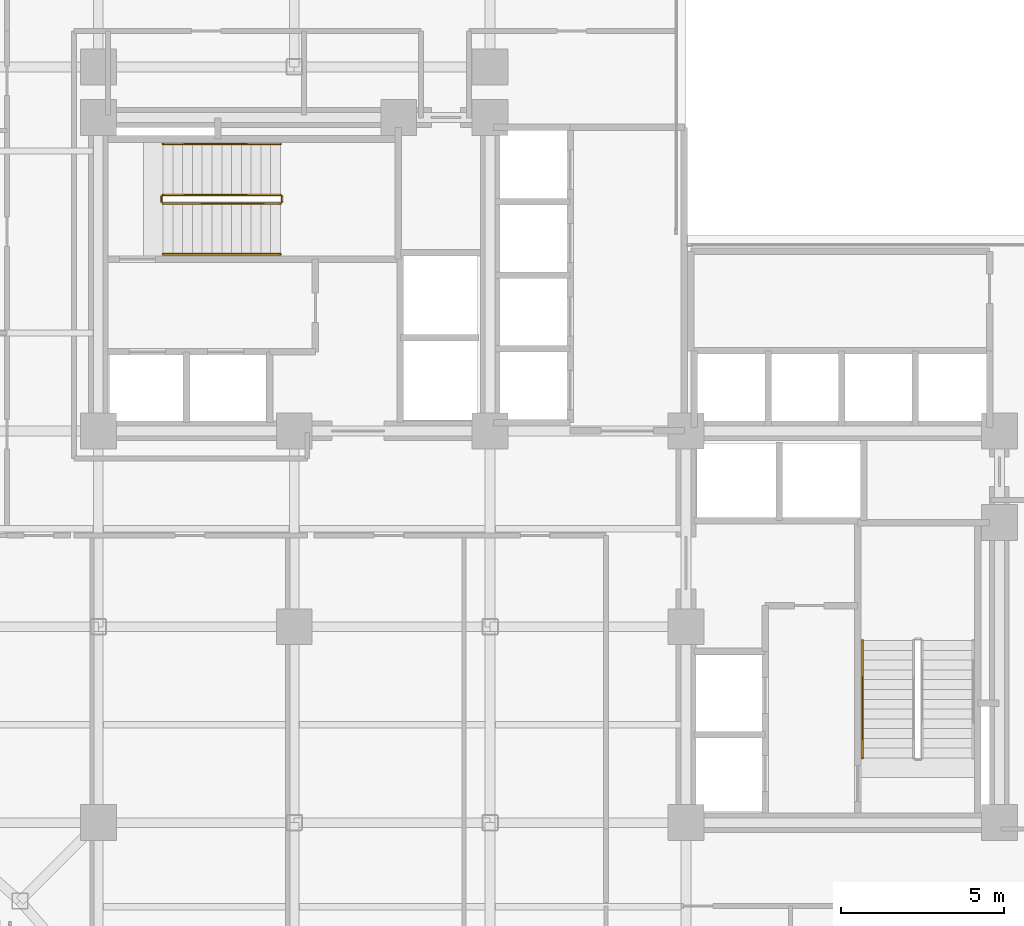
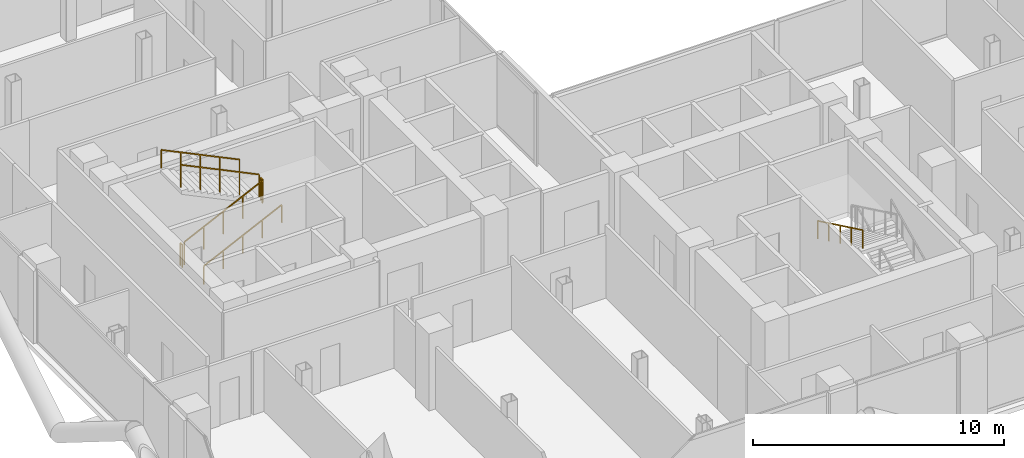
# One storey, part 26 of 28: 7 railings.
"""IFC4 building model written with IfcOpenShell, lengths in metres."""

import ifcopenshell
import ifcopenshell.guid

model = None  # the IFC model being written
_history = None  # IfcOwnerHistory: only IFC2X3 demands one
_inside = {}  # id of a spatial element -> (the spatial element, [elements in it])
_under = {}  # id of a project, library or spatial element -> (it, [spatial elements below it])
_declared = {}  # id of a project -> (the project, [libraries it declares])
_typed = {}  # id of a type object -> (the type object, [elements of that type])
_made_of = {}  # id of a material, layer set ... -> (it, [elements and type objects made of it])


def new_model(schema):
    """Start an empty IFC model of exactly this schema.

    Asked for "IFC4X3", IfcOpenShell would pick the latest addendum, in which some entities
    have other attributes; the version numbers below select the first issue.
    IFC2X3 requires an IfcOwnerHistory on every rooted entity: one is made here for all.
    """
    global model, _history
    if schema == "IFC4X3":
        model = ifcopenshell.file(schema_version=(4, 3, 0, 0))
    else:
        model = ifcopenshell.file(schema=schema)
    _inside.clear()
    _under.clear()
    _declared.clear()
    _typed.clear()
    _made_of.clear()
    _history = None
    if model.schema == "IFC2X3":
        org = make("IfcOrganization", Name="unknown")
        user = make(
            "IfcPersonAndOrganization",
            ThePerson=make("IfcPerson", FamilyName="unknown"),
            TheOrganization=org,
        )
        app = make(
            "IfcApplication",
            ApplicationDeveloper=org,
            Version="unknown",
            ApplicationFullName="unknown",
            ApplicationIdentifier="unknown",
        )
        _history = make(
            "IfcOwnerHistory",
            OwningUser=user,
            OwningApplication=app,
            ChangeAction="ADDED",
            CreationDate=0,
        )
    return model


def make(cls, **values):
    """One entity of the class cls with the attributes given. An attribute that is None is left unset."""
    return model.create_entity(
        cls, **{name: value for name, value in values.items() if value is not None}
    )


def rooted(cls, **values):
    """An entity with a GlobalId (a new one), such as an element, a storey or a relation."""
    return make(cls, GlobalId=ifcopenshell.guid.new(), OwnerHistory=_history, **values)


def si_unit(unit_type, name, prefix=None):
    """IfcSIUnit, for example si_unit("LENGTHUNIT", "METRE", prefix="MILLI")."""
    return make("IfcSIUnit", UnitType=unit_type, Prefix=prefix, Name=name)


def assignment(units):
    """IfcUnitAssignment: the units of a project."""
    return None if units is None else make("IfcUnitAssignment", Units=units)


def point(xyz):
    """IfcCartesianPoint."""
    return None if xyz is None else make("IfcCartesianPoint", Coordinates=xyz)


def direction(xyz):
    """IfcDirection."""
    return None if xyz is None else make("IfcDirection", DirectionRatios=xyz)


def frame(location, z_axis=None, x_axis=None):
    """IfcAxis2Placement3D, a coordinate frame: its origin and axes. An axis left out is left unset."""
    return make(
        "IfcAxis2Placement3D",
        Location=point(location),
        Axis=direction(z_axis),
        RefDirection=direction(x_axis),
    )


def frame_2d(location, x_axis=None):
    """IfcAxis2Placement2D, a coordinate frame in the plane: its origin and x axis."""
    return make(
        "IfcAxis2Placement2D", Location=point(location), RefDirection=direction(x_axis)
    )


def origin():
    """The frame at (0, 0, 0) with its axes left unset."""
    return frame((0.0, 0.0, 0.0))


def origin_2d():
    """The frame at (0, 0) in the plane with its x axis left unset."""
    return frame_2d((0.0, 0.0))


def place(relative_to, where):
    """IfcLocalPlacement: puts the frame where relative to a parent placement (None: the world)."""
    return make(
        "IfcLocalPlacement", PlacementRelTo=relative_to, RelativePlacement=where
    )


def context(
    kind, dimensions, precision=None, world=None, true_north=None, identifier=None
):
    """IfcGeometricRepresentationContext, for example the 3D "Model" context."""
    return make(
        "IfcGeometricRepresentationContext",
        ContextIdentifier=identifier,
        ContextType=kind,
        CoordinateSpaceDimension=dimensions,
        Precision=precision,
        WorldCoordinateSystem=world,
        TrueNorth=true_north,
    )


def subcontext(parent, identifier, kind, view, scale=None):
    """IfcGeometricRepresentationSubContext, for example "Body" below "Model"."""
    return make(
        "IfcGeometricRepresentationSubContext",
        ContextIdentifier=identifier,
        ContextType=kind,
        ParentContext=parent,
        TargetScale=scale,
        TargetView=view,
    )


def project(units=None, contexts=None):
    """IfcProject with its units and contexts."""
    return rooted(
        "IfcProject",
        Name="project",
        RepresentationContexts=contexts,
        UnitsInContext=assignment(units),
    )


def spatial(cls, under=None, at=None, **own):
    """A site, building, storey or space (cls), placed at a placement, below another one or the project."""
    s = rooted(cls, ObjectPlacement=at, **own)
    if under is not None:
        _under.setdefault(under.id(), (under, []))[1].append(s)
    return s


def profile(cls, at=None, kind="AREA", **sizes):
    """A parametric profile (cls). Its sizes go by their IFC names, for example OverallWidth=200.0."""
    return make(cls, ProfileType=kind, Position=at, **sizes)


def rectangle(**sizes):
    """IfcRectangleProfileDef."""
    return profile("IfcRectangleProfileDef", **sizes)


def extrude(swept, where, along, depth):
    """IfcExtrudedAreaSolid: the profile swept, set in the frame where, extruded along a direction by depth."""
    return make(
        "IfcExtrudedAreaSolid",
        SweptArea=swept,
        Position=where,
        ExtrudedDirection=direction(along),
        Depth=depth,
    )


def shape(context_of_items, identifier, shape_type, items):
    """IfcShapeRepresentation: the items that make up one representation, for example the "Body"."""
    return make(
        "IfcShapeRepresentation",
        ContextOfItems=context_of_items,
        RepresentationIdentifier=identifier,
        RepresentationType=shape_type,
        Items=items,
    )


def material(Name=None, Category=None):
    """IfcMaterial."""
    return make("IfcMaterial", Name=Name, Category=Category)


def made_of(thing, what):
    """Note that an element or type object is made of a material, layer set ...; save() writes the relation."""
    if what is not None:
        _made_of.setdefault(what.id(), (what, []))[1].append(thing)
    return thing


def type_object(cls, material=None, **own):
    """A type object (cls), such as IfcWallType, which elements share."""
    return made_of(rooted(cls, **own), material)


def element(
    cls,
    number,
    at=None,
    inside=None,
    cuts=None,
    type_object=None,
    material=None,
    context=None,
    identifier="Body",
    shape_type=None,
    held_by="IfcProductDefinitionShape",
    body=None,
    shapes=None,
    **own,
):
    """One element of the class cls, such as IfcWall. Its Tag is "e" and its number.

    at: its placement. inside: the storey or other place that contains it. cuts: it is an
    opening in that element (IfcRelVoidsElement). A single representation is given by context,
    identifier, shape_type and body (its items); several are given by shapes. held_by: the class
    of the entity that holds the representations. save() writes the other relations.
    """
    e = rooted(cls, Tag="e%d" % number, ObjectPlacement=at, **own)
    if body is not None:
        shapes = [shape(context, identifier, shape_type, body)]
    if shapes is not None:
        e.Representation = make(held_by, Representations=shapes)
    if inside is not None:
        _inside.setdefault(inside.id(), (inside, []))[1].append(e)
    if cuts is not None:
        rooted(
            "IfcRelVoidsElement", RelatingBuildingElement=cuts, RelatedOpeningElement=e
        )
    if type_object is not None:
        _typed.setdefault(type_object.id(), (type_object, []))[1].append(e)
    return made_of(e, material)


def aggregate(whole, parts):
    """IfcRelAggregates: a whole, such as a stair, and the parts it consists of."""
    return rooted("IfcRelAggregates", RelatingObject=whole, RelatedObjects=parts)


def save(model, path):
    """Write the relations noted so far, then the file.

    IfcRelAggregates (storeys below a building ...), IfcRelContainedInSpatialStructure (elements
    in a storey), IfcRelDefinesByType, IfcRelAssociatesMaterial and IfcRelDeclares: one each for
    every whole, place, type object, material and project.
    """
    for whole, parts in _under.values():
        aggregate(whole, parts)
    for where, things in _inside.values():
        rooted(
            "IfcRelContainedInSpatialStructure",
            RelatedElements=things,
            RelatingStructure=where,
        )
    for kind, things in _typed.values():
        rooted("IfcRelDefinesByType", RelatedObjects=things, RelatingType=kind)
    for what, things in _made_of.values():
        rooted("IfcRelAssociatesMaterial", RelatedObjects=things, RelatingMaterial=what)
    for by, libraries in _declared.values():
        rooted("IfcRelDeclares", RelatingContext=by, RelatedDefinitions=libraries)
    model.write(path)


model = new_model("IFC4")

# Units and contexts
model_context = context("Model", 3, precision=1e-05, world=origin(), true_north=direction((0.0, 1.0)))
body_context = subcontext(model_context, "Body", "Model", "MODEL_VIEW")
ifc_project = project(units=[si_unit("LENGTHUNIT", "METRE"), si_unit("AREAUNIT", "SQUARE_METRE"), si_unit("VOLUMEUNIT", "CUBIC_METRE"), si_unit("PLANEANGLEUNIT", "RADIAN"), si_unit("MASSUNIT", "GRAM", prefix="KILO"), si_unit("THERMODYNAMICTEMPERATUREUNIT", "KELVIN"), si_unit("POWERUNIT", "WATT")], contexts=[model_context])

# Site, building, storey
site_placement = place(None, origin())
site = spatial("IfcSite", under=ifc_project, at=site_placement, CompositionType="ELEMENT")
building_placement = place(site_placement, origin())
building = spatial("IfcBuilding", under=site, at=building_placement, Name="Svarakhadi Broadcast Tower", CompositionType="ELEMENT")
storey_placement = place(building_placement, frame((0.0, 0.0, 103.35009765625)))
storey = spatial("IfcBuildingStorey", under=building, at=storey_placement, Name="L24", CompositionType="ELEMENT", Elevation=103.35009765625)

# Railings
ifc_material = material(Name="Anodised Bronze Aluminium AA 6063-T6", Category="aluminium")
railing_type_1 = type_object("IfcRailingType", Name="Guard_Stair_GR01", PredefinedType="GUARDRAIL", material=ifc_material)
railing_1_placement = place(storey_placement, frame((7.97998046875, 24.969970703125, 0.14404296875)))
element("IfcRailing", 1, at=railing_1_placement, inside=storey, type_object=railing_type_1, Name="L24 ST-01 stair guard 1", PredefinedType="GUARDRAIL", context=body_context, shape_type="SweptSolid", body=[
    extrude(rectangle(XDim=0.048095703125, YDim=0.048095703125, at=origin_2d()), frame((0.0, 0.0, 1.09619140625), z_axis=(0.901238654732, 0.0, 0.433323074871), x_axis=(0.0, 1.0, 0.0)), (0.0, 0.0, 1.0), 3.99462890625),
    extrude(rectangle(XDim=0.0419921875, YDim=0.0419921875, at=origin_2d()), origin(), (0.0, 0.0, 1.0), 1.072021484375),
    extrude(rectangle(XDim=0.0419921875, YDim=0.0419921875, at=origin_2d()), frame((0.89990234375, 0.0, 0.4326171875)), (0.0, 0.0, 1.0), 1.072021484375),
    extrude(rectangle(XDim=0.0419921875, YDim=0.0419921875, at=origin_2d()), frame((1.800048828125, 0.0, 0.865478515625)), (0.0, 0.0, 1.0), 1.072021484375),
    extrude(rectangle(XDim=0.0419921875, YDim=0.0419921875, at=origin_2d()), frame((2.7001953125, 0.0, 1.29833984375)), (0.0, 0.0, 1.0), 1.072021484375),
    extrude(rectangle(XDim=0.0419921875, YDim=0.0419921875, at=origin_2d()), frame((3.60009765625, 0.0, 1.73095703125)), (0.0, 0.0, 1.0), 1.072021484375),
])
railing_2_placement = place(storey_placement, frame((11.6298828125, 25.02001953125, 1.875)))
element("IfcRailing", 2, at=railing_2_placement, inside=storey, type_object=railing_type_1, Name="L24 ST-01 stair guard 2", PredefinedType="GUARDRAIL", context=body_context, shape_type="SweptSolid", body=[
    extrude(rectangle(XDim=0.048095703125, YDim=0.048095703125, at=origin_2d()), frame((0.0, 0.0, 1.09619140625), z_axis=(0.0, 1.0, 0.0), x_axis=(-1.0, 0.0, 0.0)), (0.0, 0.0, 1.0), 0.159912109375),
    extrude(rectangle(XDim=0.0419921875, YDim=0.0419921875, at=origin_2d()), origin(), (0.0, 0.0, 1.0), 1.072021484375),
    extrude(rectangle(XDim=0.0419921875, YDim=0.0419921875, at=origin_2d()), frame((0.0, 0.159912109375, 0.0)), (0.0, 0.0, 1.0), 1.072021484375),
])
railing_3_placement = place(storey_placement, frame((11.580078125, 25.22998046875, 2.01904296875)))
element("IfcRailing", 3, at=railing_3_placement, inside=storey, type_object=railing_type_1, Name="L24 ST-01 stair guard 3", PredefinedType="GUARDRAIL", context=body_context, shape_type="SweptSolid", body=[
    extrude(rectangle(XDim=0.048095703125, YDim=0.048095703125, at=origin_2d()), frame((0.0, 0.0, 1.09619140625), z_axis=(-0.901238654732, 0.0, 0.433323074871), x_axis=(0.0, -1.0, 0.0)), (0.0, 0.0, 1.0), 3.99462890625),
    extrude(rectangle(XDim=0.0419921875, YDim=0.0419921875, at=origin_2d()), origin(), (0.0, 0.0, 1.0), 1.072021484375),
    extrude(rectangle(XDim=0.0419921875, YDim=0.0419921875, at=origin_2d()), frame((-0.89990234375, 0.0, 0.4326171875)), (0.0, 0.0, 1.0), 1.072021484375),
    extrude(rectangle(XDim=0.0419921875, YDim=0.0419921875, at=origin_2d()), frame((-1.800048828125, 0.0, 0.865478515625)), (0.0, 0.0, 1.0), 1.072021484375),
    extrude(rectangle(XDim=0.0419921875, YDim=0.0419921875, at=origin_2d()), frame((-2.7001953125, 0.0, 1.29833984375)), (0.0, 0.0, 1.0), 1.072021484375),
    extrude(rectangle(XDim=0.0419921875, YDim=0.0419921875, at=origin_2d()), frame((-3.60009765625, 0.0, 1.73095703125)), (0.0, 0.0, 1.0), 1.072021484375),
])
railing_4_placement = place(storey_placement, frame((7.929931640625, 25.02001953125, 0.0)))
element("IfcRailing", 4, at=railing_4_placement, inside=storey, type_object=railing_type_1, Name="L24 ST-01 stair guard 4", PredefinedType="GUARDRAIL", context=body_context, shape_type="SweptSolid", body=[
    extrude(rectangle(XDim=0.048095703125, YDim=0.048095703125, at=origin_2d()), frame((0.0, 0.0, 1.09619140625), z_axis=(0.0, 1.0, 0.0), x_axis=(-1.0, 0.0, 0.0)), (0.0, 0.0, 1.0), 0.159912109375),
    extrude(rectangle(XDim=0.0419921875, YDim=0.0419921875, at=origin_2d()), origin(), (0.0, 0.0, 1.0), 1.072021484375),
    extrude(rectangle(XDim=0.0419921875, YDim=0.0419921875, at=origin_2d()), frame((0.0, 0.159912109375, 0.0)), (0.0, 0.0, 1.0), 1.072021484375),
])
railing_type_2 = type_object("IfcRailingType", Name="Handrail_Stair_HR01", PredefinedType="HANDRAIL", material=ifc_material)
railing_5_placement = place(storey_placement, frame((7.97998046875, 23.409912109375, 0.14404296875)))
element("IfcRailing", 5, at=railing_5_placement, inside=storey, type_object=railing_type_2, Name="L24 ST-01 stair handrail 1", PredefinedType="HANDRAIL", context=body_context, shape_type="SweptSolid", body=[
    extrude(rectangle(XDim=0.048095703125, YDim=0.048095703125, at=origin_2d()), frame((0.0, 0.0, 0.8759765625), z_axis=(0.901238654732, 0.0, 0.433323074871), x_axis=(0.0, 1.0, 0.0)), (0.0, 0.0, 1.0), 3.99462890625),
    extrude(rectangle(XDim=0.0419921875, YDim=0.0419921875, at=origin_2d()), origin(), (0.0, 0.0, 1.0), 0.851806640625),
    extrude(rectangle(XDim=0.0419921875, YDim=0.0419921875, at=origin_2d()), frame((0.89990234375, 0.0, 0.4326171875)), (0.0, 0.0, 1.0), 0.851806640625),
    extrude(rectangle(XDim=0.0419921875, YDim=0.0419921875, at=origin_2d()), frame((1.800048828125, 0.0, 0.865478515625)), (0.0, 0.0, 1.0), 0.851806640625),
    extrude(rectangle(XDim=0.0419921875, YDim=0.0419921875, at=origin_2d()), frame((2.7001953125, 0.0, 1.29833984375)), (0.0, 0.0, 1.0), 0.851806640625),
    extrude(rectangle(XDim=0.0419921875, YDim=0.0419921875, at=origin_2d()), frame((3.60009765625, 0.0, 1.73095703125)), (0.0, 0.0, 1.0), 0.851806640625),
])
railing_6_placement = place(storey_placement, frame((11.580078125, 26.7900390625, 2.01904296875)))
element("IfcRailing", 6, at=railing_6_placement, inside=storey, type_object=railing_type_2, Name="L24 ST-01 stair handrail 2", PredefinedType="HANDRAIL", context=body_context, shape_type="SweptSolid", body=[
    extrude(rectangle(XDim=0.048095703125, YDim=0.048095703125, at=origin_2d()), frame((0.0, 0.0, 0.8759765625), z_axis=(-0.901238654732, 0.0, 0.433323074871), x_axis=(0.0, -1.0, 0.0)), (0.0, 0.0, 1.0), 3.99462890625),
    extrude(rectangle(XDim=0.0419921875, YDim=0.0419921875, at=origin_2d()), origin(), (0.0, 0.0, 1.0), 0.851806640625),
    extrude(rectangle(XDim=0.0419921875, YDim=0.0419921875, at=origin_2d()), frame((-0.89990234375, 0.0, 0.4326171875)), (0.0, 0.0, 1.0), 0.851806640625),
    extrude(rectangle(XDim=0.0419921875, YDim=0.0419921875, at=origin_2d()), frame((-1.800048828125, 0.0, 0.865478515625)), (0.0, 0.0, 1.0), 0.851806640625),
    extrude(rectangle(XDim=0.0419921875, YDim=0.0419921875, at=origin_2d()), frame((-2.7001953125, 0.0, 1.29833984375)), (0.0, 0.0, 1.0), 0.851806640625),
    extrude(rectangle(XDim=0.0419921875, YDim=0.0419921875, at=origin_2d()), frame((-3.60009765625, 0.0, 1.73095703125)), (0.0, 0.0, 1.0), 0.851806640625),
])
railing_7_placement = place(storey_placement, frame((29.409912109375, 11.580078125, 2.01904296875)))
element("IfcRailing", 7, at=railing_7_placement, inside=storey, type_object=railing_type_2, Name="L24 ST-02 stair handrail 2", PredefinedType="HANDRAIL", context=body_context, shape_type="SweptSolid", body=[
    extrude(rectangle(XDim=0.048095703125, YDim=0.048095703125, at=origin_2d()), frame((0.0, 0.0, 0.8759765625), z_axis=(0.0, -0.901238654732, 0.433323074871), x_axis=(1.0, 0.0, 0.0)), (0.0, 0.0, 1.0), 3.99462890625),
    extrude(rectangle(XDim=0.0419921875, YDim=0.0419921875, at=origin_2d()), origin(), (0.0, 0.0, 1.0), 0.851806640625),
    extrude(rectangle(XDim=0.0419921875, YDim=0.0419921875, at=origin_2d()), frame((0.0, -0.89990234375, 0.4326171875)), (0.0, 0.0, 1.0), 0.851806640625),
    extrude(rectangle(XDim=0.0419921875, YDim=0.0419921875, at=origin_2d()), frame((0.0, -1.800048828125, 0.865478515625)), (0.0, 0.0, 1.0), 0.851806640625),
    extrude(rectangle(XDim=0.0419921875, YDim=0.0419921875, at=origin_2d()), frame((0.0, -2.7001953125, 1.29833984375)), (0.0, 0.0, 1.0), 0.851806640625),
    extrude(rectangle(XDim=0.0419921875, YDim=0.0419921875, at=origin_2d()), frame((0.0, -3.60009765625, 1.73095703125)), (0.0, 0.0, 1.0), 0.851806640625),
])

save(model, "model.ifc")
